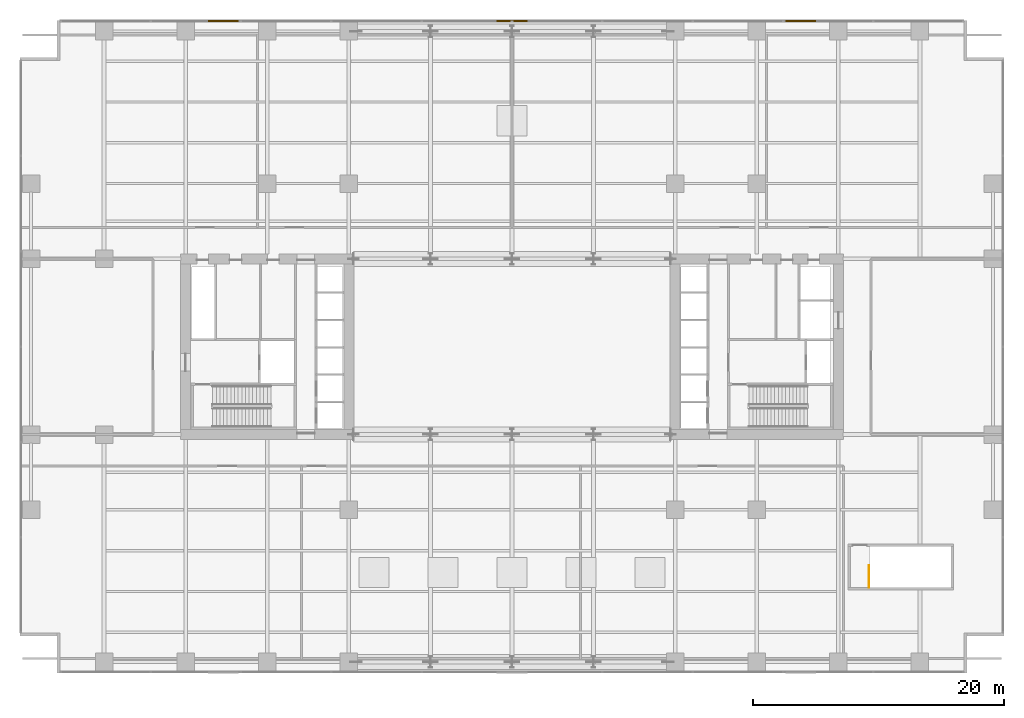
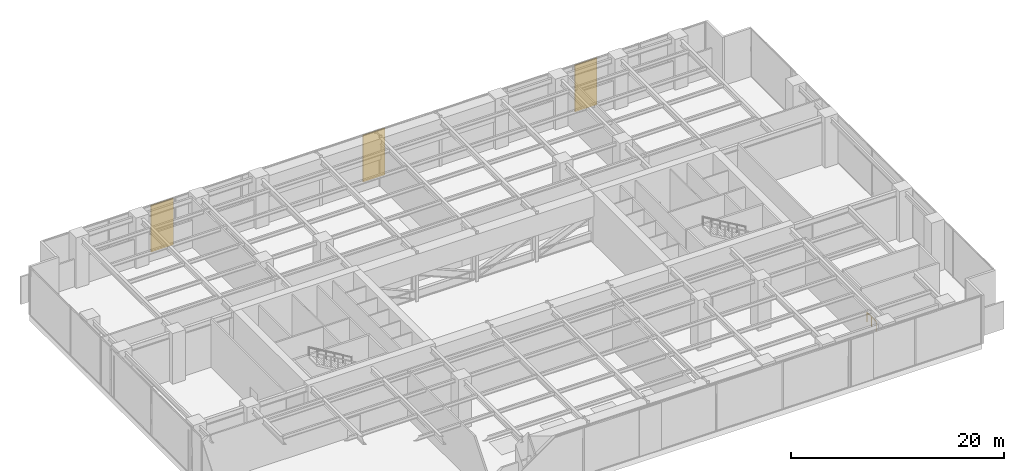
# One storey, part 25 of 25: 3 shading devices, 1 railing.
"""IFC4 building model written with IfcOpenShell, lengths in metres."""

from ifc_helpers import new_model, si_unit, direction, frame, origin, origin_2d, place, context, subcontext, project, spatial, rectangle, circle, extrude, material, layer, layer_set, type_object, element, save


model = new_model("IFC4")

# Units and contexts
model_context = context("Model", 3, precision=1e-05, world=origin(), true_north=direction((0.0, 1.0)))
body_context = subcontext(model_context, "Body", "Model", "MODEL_VIEW")
ifc_project = project(units=[si_unit("LENGTHUNIT", "METRE"), si_unit("AREAUNIT", "SQUARE_METRE"), si_unit("VOLUMEUNIT", "CUBIC_METRE"), si_unit("PLANEANGLEUNIT", "RADIAN"), si_unit("MASSUNIT", "GRAM", prefix="KILO")], contexts=[model_context])

# Site, building, storey
site_placement = place(None, origin())
site = spatial("IfcSite", under=ifc_project, at=site_placement, CompositionType="ELEMENT")
building_placement = place(site_placement, origin())
building = spatial("IfcBuilding", under=site, at=building_placement, Name="Putna Gate Headquarters", CompositionType="ELEMENT")
storey_placement = place(building_placement, frame((0.0, 0.0, 22.0)))
storey = spatial("IfcBuildingStorey", under=building, at=storey_placement, Name="L04", CompositionType="ELEMENT", Elevation=22.0)

# Railing
ifc_material_1 = material(Name="Powder-coated steel stair guardrail", Category="steel")
railing_type = type_object("IfcRailingType", Name="RAIL-STAIR-GUARD-1100", PredefinedType="GUARDRAIL", material=ifc_material_1)
railing_placement = place(storey_placement, frame((67.449951171875, 6.800048828125, 0.0)))
element("IfcRailing", 1, at=railing_placement, inside=storey, type_object=railing_type, Name="L04 ST3 top well guard 1", PredefinedType="GUARDRAIL", context=body_context, shape_type="SweptSolid", body=[
    extrude(circle(Radius=0.02392578125, at=origin_2d()), frame((0.0, 0.0, 1.076171875), z_axis=(0.0, 1.0, 0.0), x_axis=(-1.0, 0.0, 0.0)), (0.0, 0.0, 1.0), 1.75),
    extrude(circle(Radius=0.02099609375, at=origin_2d()), origin(), (0.0, 0.0, 1.0), 1.052001953125),
    extrude(circle(Radius=0.02099609375, at=origin_2d()), frame((0.0, 0.875, 0.0)), (0.0, 0.0, 1.0), 1.052001953125),
    extrude(circle(Radius=0.02099609375, at=origin_2d()), frame((0.0, 1.75, 0.0)), (0.0, 0.0, 1.0), 1.052001953125),
])

# Shading devices
ifc_material_2 = material(Name="Anodised bronze acoustic weather louvre", Category="aluminium")
ifc_layer = layer(ifc_material_2, 0.1201171875)
ifc_layer_set = layer_set([ifc_layer], Name="Anodised bronze acoustic weather louvre")
shading_device_type = type_object("IfcShadingDeviceType", Name="SHADE-PLANT-LOUVRE", PredefinedType="JALOUSIE", material=ifc_layer_set)
for number, where, z_axis, x_axis, name in (
    (2, (16.0, 51.969970703125, 0.099853515625), (0.0, 0.0, 1.0), (1.0, 0.0, 0.0), "L04 Bronze Acoustic Louvre N1"),
    (3, (39.0, 51.969970703125, 0.099853515625), (0.0, 0.0, 1.0), (1.0, 0.0, 0.0), "L04 Bronze Acoustic Louvre N2"),
    (4, (62.0, 51.969970703125, 0.099853515625), (0.0, 0.0, 1.0), (1.0, 0.0, 0.0), "L04 Bronze Acoustic Louvre N3"),
):
    element("IfcShadingDevice", number, at=place(storey_placement, frame(where, z_axis=z_axis, x_axis=x_axis)), inside=storey, type_object=shading_device_type, Name=name, PredefinedType="JALOUSIE", context=body_context, shape_type="SweptSolid", body=[
        extrude(rectangle(XDim=2.39990234375, YDim=0.1201171875, at=origin_2d()), origin(), (0.0, 0.0, 1.0), 5.35009765625),
    ])

save(model, "model.ifc")
